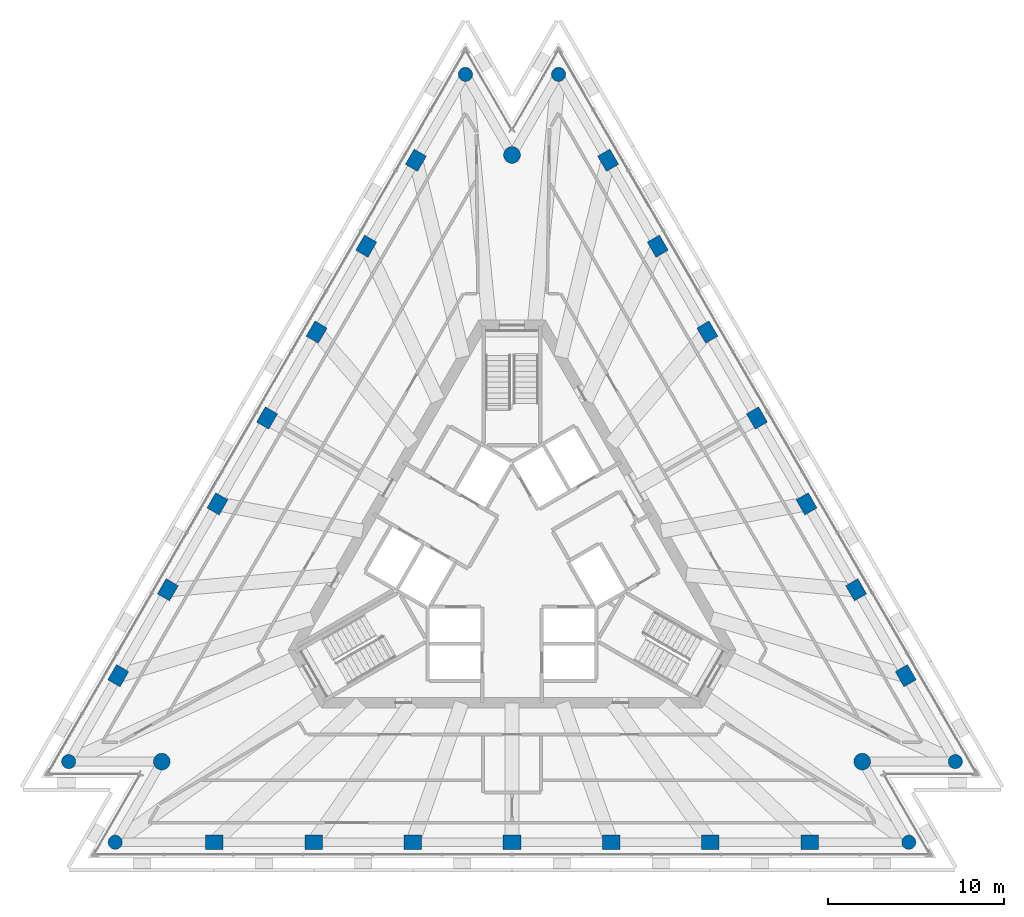
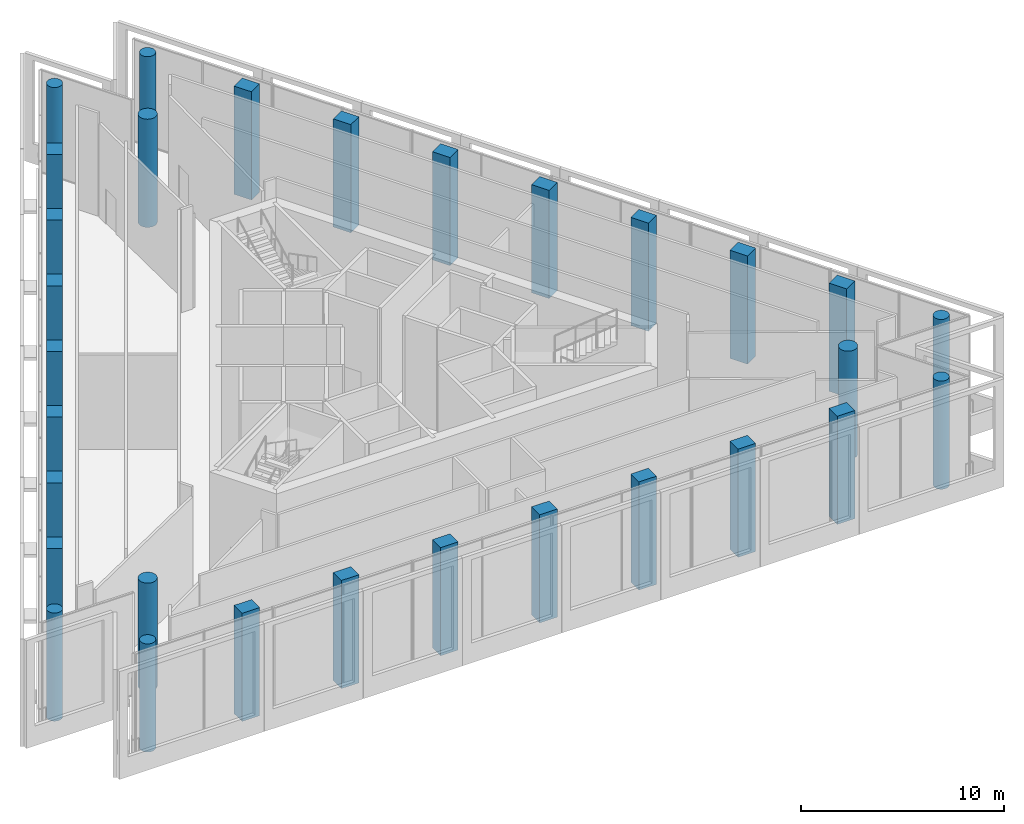
# One storey, part 1 of 16: 30 columns.
"""IFC4 building model written with IfcOpenShell, lengths in metres."""

from ifc_helpers import new_model, si_unit, direction, frame, origin, origin_2d, place, context, subcontext, project, spatial, rectangle, circle, extrude, material, material_profile, profile_set, type_object, element, save


model = new_model("IFC4")

# Units and contexts
model_context = context("Model", 3, precision=1e-05, world=origin(), true_north=direction((0.0, 1.0)))
body_context = subcontext(model_context, "Body", "Model", "MODEL_VIEW")
ifc_project = project(units=[si_unit("LENGTHUNIT", "METRE"), si_unit("AREAUNIT", "SQUARE_METRE"), si_unit("VOLUMEUNIT", "CUBIC_METRE"), si_unit("PLANEANGLEUNIT", "RADIAN"), si_unit("MASSUNIT", "GRAM", prefix="KILO")], contexts=[model_context])

# Site, building, storey
site_placement = place(None, origin())
site = spatial("IfcSite", under=ifc_project, at=site_placement, CompositionType="ELEMENT")
building_placement = place(site_placement, origin())
building = spatial("IfcBuilding", under=site, at=building_placement, Name="Triada Interchange Tower", CompositionType="ELEMENT")
storey_placement = place(building_placement, frame((0.0, 0.0, 261.800048828125)))
storey = spatial("IfcBuildingStorey", under=building, at=storey_placement, Name="L61", CompositionType="ELEMENT", Elevation=261.800048828125)

# Columns
ifc_material = material(Name="Concrete C40/50", Category="concrete")
ifc_material_profile_1 = material_profile(ifc_material, rectangle(XDim=1.0, YDim=0.800048828125, at=origin_2d()), Name="RC 1000x800")
ifc_profile_set_1 = profile_set([ifc_material_profile_1], Name="Concrete C40/50")
column_type_1 = type_object("IfcColumnType", Name="Column D face RC 1000x800", PredefinedType="COLUMN", material=ifc_profile_set_1)
for number, where, z_axis, x_axis, name in (
    (1, (-5.465087890625, 22.68603515625, -0.300048828125), (0.0, 0.0, 1.0), (0.5, 0.866025403784, 0.0), "Column CD02 L61"),
    (2, (-8.283935546875, 17.802978515625, -0.300048828125), (0.0, 0.0, 1.0), (0.5, 0.866025403784, 0.0), "Column CD03 L61"),
    (3, (-11.10302734375, 12.919921875, -0.300048828125), (0.0, 0.0, 1.0), (0.5, 0.866025403784, 0.0), "Column CD04 L61"),
    (4, (-13.922119140625, 8.0380859375, -0.300048828125), (0.0, 0.0, 1.0), (0.5, 0.866025403784, 0.0), "Column CD05 L61"),
    (5, (-16.740966796875, 3.156005859375, -0.300048828125), (0.0, 0.0, 1.0), (0.5, 0.866025403784, 0.0), "Column CD06 L61"),
    (6, (-19.56005859375, -1.72705078125, -0.300048828125), (0.0, 0.0, 1.0), (0.5, 0.866025403784, 0.0), "Column CD07 L61"),
    (7, (-22.37890625, -6.610107421875, -0.300048828125), (0.0, 0.0, 1.0), (0.5, 0.866025403784, 0.0), "Column CD08 L61"),
    (8, (-16.9140625, -16.075927734375, -0.300048828125), (0.0, 0.0, 1.0), (1.0, 0.0, 0.0), "Column CD11 L61"),
    (9, (-11.27587890625, -16.075927734375, -0.300048828125), (0.0, 0.0, 1.0), (1.0, 0.0, 0.0), "Column CD12 L61"),
    (10, (-5.637939453125, -16.075927734375, -0.300048828125), (0.0, 0.0, 1.0), (1.0, 0.0, 0.0), "Column CD13 L61"),
    (11, (0.0, -16.075927734375, -0.300048828125), (0.0, 0.0, 1.0), (1.0, 0.0, 0.0), "Column CD14 L61"),
    (12, (5.637939453125, -16.075927734375, -0.300048828125), (0.0, 0.0, 1.0), (1.0, 0.0, 0.0), "Column CD15 L61"),
    (13, (11.27587890625, -16.075927734375, -0.300048828125), (0.0, 0.0, 1.0), (1.0, 0.0, 0.0), "Column CD16 L61"),
    (14, (16.9140625, -16.075927734375, -0.300048828125), (0.0, 0.0, 1.0), (1.0, 0.0, 0.0), "Column CD17 L61"),
    (15, (22.37890625, -6.610107421875, -0.300048828125), (0.0, 0.0, 1.0), (-0.5, 0.866025403784, 0.0), "Column CD20 L61"),
    (16, (19.56005859375, -1.72705078125, -0.300048828125), (0.0, 0.0, 1.0), (-0.5, 0.866025403784, 0.0), "Column CD21 L61"),
    (17, (16.740966796875, 3.156005859375, -0.300048828125), (0.0, 0.0, 1.0), (-0.5, 0.866025403784, 0.0), "Column CD22 L61"),
    (18, (13.922119140625, 8.0380859375, -0.300048828125), (0.0, 0.0, 1.0), (-0.5, 0.866025403784, 0.0), "Column CD23 L61"),
    (19, (11.10302734375, 12.919921875, -0.300048828125), (0.0, 0.0, 1.0), (-0.5, 0.866025403784, 0.0), "Column CD24 L61"),
    (20, (8.283935546875, 17.802978515625, -0.300048828125), (0.0, 0.0, 1.0), (-0.5, 0.866025403784, 0.0), "Column CD25 L61"),
    (21, (5.465087890625, 22.68603515625, -0.300048828125), (0.0, 0.0, 1.0), (-0.5, 0.866025403784, 0.0), "Column CD26 L61"),
):
    element("IfcColumn", number, at=place(storey_placement, frame(where, z_axis=z_axis, x_axis=x_axis)), inside=storey, type_object=column_type_1, Name=name, PredefinedType="COLUMN", context=body_context, shape_type="SweptSolid", body=[
        extrude(rectangle(XDim=1.0, YDim=0.800048828125, at=origin_2d()), origin(), (0.0, 0.0, 1.0), 6.5),
    ])
ifc_material_profile_2 = material_profile(ifc_material, circle(Radius=0.39990234375, at=origin_2d()), Name="RC D800")
ifc_profile_set_2 = profile_set([ifc_material_profile_2], Name="Concrete C40/50")
column_type_2 = type_object("IfcColumnType", Name="End column D RC D800", PredefinedType="COLUMN", material=ifc_profile_set_2)
for number, where, z_axis, x_axis, name in (
    (22, (-2.64599609375, 27.568115234375, -0.300048828125), (0.0, 0.0, 1.0), (0.5, 0.866025403784, 0.0), "Column CD01 L61"),
    (23, (-25.197998046875, -11.491943359375, -0.300048828125), (0.0, 0.0, 1.0), (0.5, 0.866025403784, 0.0), "Column CD09 L61"),
    (24, (-22.552001953125, -16.075927734375, -0.300048828125), (0.0, 0.0, 1.0), (1.0, 0.0, 0.0), "Column CD10 L61"),
    (25, (22.552001953125, -16.075927734375, -0.300048828125), (0.0, 0.0, 1.0), (1.0, 0.0, 0.0), "Column CD18 L61"),
    (26, (25.197998046875, -11.491943359375, -0.300048828125), (0.0, 0.0, 1.0), (-0.5, 0.866025403784, 0.0), "Column CD19 L61"),
    (27, (2.64599609375, 27.568115234375, -0.300048828125), (0.0, 0.0, 1.0), (-0.5, 0.866025403784, 0.0), "Column CD27 L61"),
):
    element("IfcColumn", number, at=place(storey_placement, frame(where, z_axis=z_axis, x_axis=x_axis)), inside=storey, type_object=column_type_2, Name=name, PredefinedType="COLUMN", context=body_context, shape_type="SweptSolid", body=[
        extrude(circle(Radius=0.39990234375, at=origin_2d()), origin(), (0.0, 0.0, 1.0), 6.5),
    ])
ifc_material_profile_3 = material_profile(ifc_material, circle(Radius=0.47509765625, at=origin_2d()), Name="RC D950")
ifc_profile_set_3 = profile_set([ifc_material_profile_3], Name="Concrete C40/50")
column_type_3 = type_object("IfcColumnType", Name="Mega column D RC D950", PredefinedType="COLUMN", material=ifc_profile_set_3)
for number, where, z_axis, x_axis, name in (
    (28, (0.0, 22.985107421875, -0.300048828125), (0.0, 0.0, 1.0), (1.0, 0.0, 0.0), "Column MD1 L61"),
    (29, (-19.905029296875, -11.491943359375, -0.300048828125), (0.0, 0.0, 1.0), (1.0, 0.0, 0.0), "Column MD2 L61"),
    (30, (19.905029296875, -11.491943359375, -0.300048828125), (0.0, 0.0, 1.0), (1.0, 0.0, 0.0), "Column MD3 L61"),
):
    element("IfcColumn", number, at=place(storey_placement, frame(where, z_axis=z_axis, x_axis=x_axis)), inside=storey, type_object=column_type_3, Name=name, PredefinedType="COLUMN", context=body_context, shape_type="SweptSolid", body=[
        extrude(circle(Radius=0.47509765625, at=origin_2d()), origin(), (0.0, 0.0, 1.0), 6.5),
    ])

save(model, "model.ifc")
